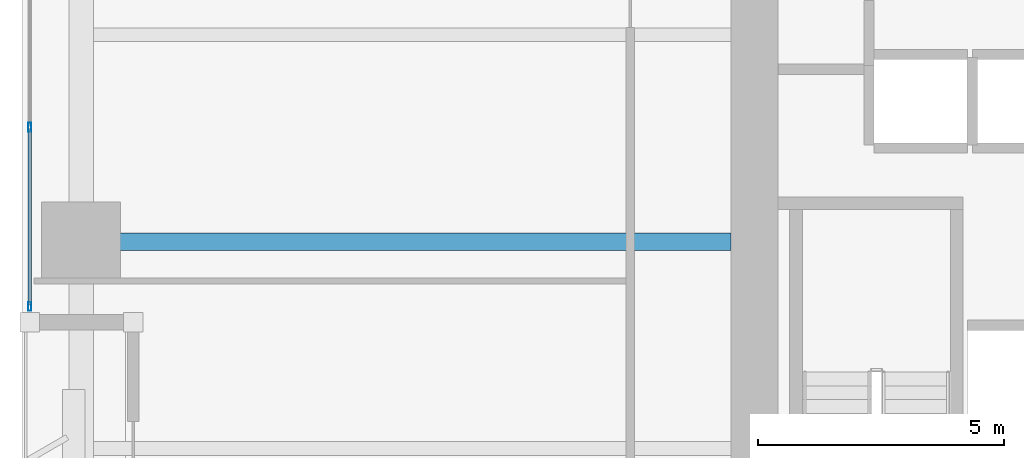
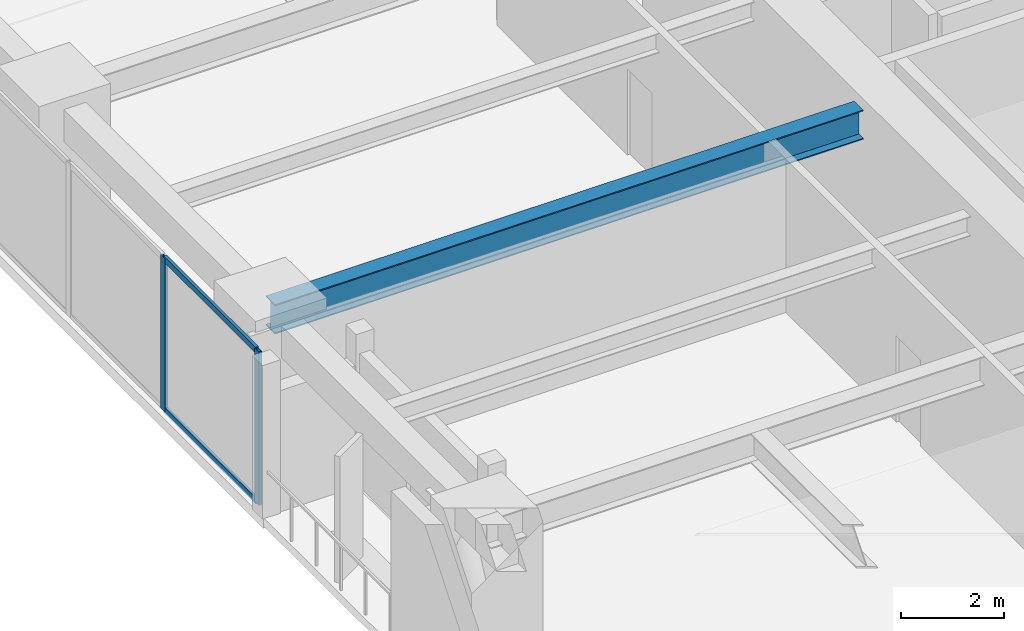
# One storey, part 2 of 29: 4 members, 1 beam, 1 element without a shape of its own.
"""IFC4 building model written with IfcOpenShell, lengths in metres."""

from ifc_helpers import new_model, si_unit, direction, frame, origin, origin_2d, place, context, subcontext, project, spatial, hollow_rectangle, i_section, extrude, material, layer, layer_set, material_profile, profile_set, type_object, element, aggregate, save


model = new_model("IFC4")

# Units and contexts
model_context = context("Model", 3, precision=1e-05, world=origin(), true_north=direction((0.0, 1.0)))
body_context = subcontext(model_context, "Body", "Model", "MODEL_VIEW")
ifc_project = project(units=[si_unit("LENGTHUNIT", "METRE"), si_unit("AREAUNIT", "SQUARE_METRE"), si_unit("VOLUMEUNIT", "CUBIC_METRE"), si_unit("PLANEANGLEUNIT", "RADIAN"), si_unit("MASSUNIT", "GRAM", prefix="KILO")], contexts=[model_context])

# Site, building, storey
site_placement = place(None, origin())
site = spatial("IfcSite", under=ifc_project, at=site_placement, CompositionType="ELEMENT")
building_placement = place(site_placement, origin())
building = spatial("IfcBuilding", under=site, at=building_placement, Name="Kiyonajd Concourse Tower", CompositionType="ELEMENT")
storey_placement = place(building_placement, frame((0.0, 0.0, 29.39990234375)))
storey = spatial("IfcBuildingStorey", under=building, at=storey_placement, Name="L08", CompositionType="ELEMENT", Elevation=29.39990234375)

# Beam
ifc_material_1 = material(Name="Steel ASTM A992 Grade 50", Category="steel")
ifc_material_profile_1 = material_profile(ifc_material_1, i_section(OverallWidth=0.35498046875, OverallDepth=0.695068359375, WebThickness=0.015380859375, FlangeThickness=0.02490234375, at=origin_2d()), Name="W690X217")
ifc_profile_set_1 = profile_set([ifc_material_profile_1], Name="Steel ASTM A992 Grade 50")
beam_type = type_object("IfcBeamType", Name="BM-TWR-690", PredefinedType="BEAM", material=ifc_profile_set_1)
beam_placement = place(storey_placement, frame((19.199951171875, 36.0, 3.29248046875), z_axis=(1.0, 0.0, 0.0), x_axis=(0.0, 1.0, 0.0)))
element("IfcBeam", 1, at=beam_placement, inside=storey, type_object=beam_type, Name="L08 West Lease Girder", PredefinedType="BEAM", context=body_context, shape_type="SweptSolid", body=[
    extrude(i_section(OverallWidth=0.35498046875, OverallDepth=0.695068359375, WebThickness=0.015380859375, FlangeThickness=0.02490234375, at=origin_2d()), origin(), (0.0, 0.0, 1.0), 13.199951171875),
])

# Curtain wall, members
ifc_material_2 = material(Name="Thermally Broken Anodised Aluminium", Category="aluminium")
ifc_layer = layer(ifc_material_2, 0.179931640625)
ifc_layer_set = layer_set([ifc_layer], Name="Thermally Broken Anodised Aluminium")
curtain_wall_type = type_object("IfcCurtainWallType", Name="CW-SYS-02", PredefinedType="NOTDEFINED", material=ifc_layer_set)
curtain_wall_placement = place(storey_placement, origin())
curtain_wall = element("IfcCurtainWall", 2, at=curtain_wall_placement, inside=storey, type_object=curtain_wall_type, Name="L08 Unitised Curtain Wall CW2", PredefinedType="NOTDEFINED")
ifc_material_profile_2 = material_profile(ifc_material_2, hollow_rectangle(XDim=0.06494140625, YDim=0.179931640625, WallThickness=0.00390625, at=origin_2d()), Name="MULL-65x180")
ifc_profile_set_2 = profile_set([ifc_material_profile_2], Name="Thermally Broken Anodised Aluminium")
member_type_1 = type_object("IfcMemberType", Name="MB-CW-MULL1", PredefinedType="MULLION", material=ifc_profile_set_2)
member_1_placement = place(storey_placement, frame((18.159912109375, 34.6826171875, 0.0), z_axis=(0.0, 0.0, 1.0), x_axis=(-1.0, 0.0, 0.0)))
member_1 = element("IfcMember", 3, at=member_1_placement, type_object=member_type_1, Name="CW2 mullion 1", PredefinedType="MULLION", context=body_context, shape_type="SweptSolid", body=[
    extrude(hollow_rectangle(XDim=0.06494140625, YDim=0.179931640625, WallThickness=0.00390625, at=origin_2d()), origin(), (0.0, 0.0, 1.0), 3.64013671875),
])
member_2_placement = place(storey_placement, frame((18.159912109375, 38.3232421875, 0.0), z_axis=(0.0, 0.0, 1.0), x_axis=(-1.0, 0.0, 0.0)))
member_2 = element("IfcMember", 4, at=member_2_placement, type_object=member_type_1, Name="CW2 mullion 2", PredefinedType="MULLION", context=body_context, shape_type="SweptSolid", body=[
    extrude(hollow_rectangle(XDim=0.06494140625, YDim=0.179931640625, WallThickness=0.00390625, at=origin_2d()), origin(), (0.0, 0.0, 1.0), 3.64013671875),
])
ifc_material_profile_3 = material_profile(ifc_material_2, hollow_rectangle(XDim=0.06494140625, YDim=0.139892578125, WallThickness=0.00390625, at=origin_2d()), Name="TRAN-65x140")
ifc_profile_set_3 = profile_set([ifc_material_profile_3], Name="Thermally Broken Anodised Aluminium")
member_type_2 = type_object("IfcMemberType", Name="MB-CW-TRAN1", PredefinedType="USERDEFINED", material=ifc_profile_set_3)
member_3_placement = place(storey_placement, frame((18.159912109375, 34.715087890625, 0.03271484375), z_axis=(0.0, 1.0, 0.0), x_axis=(-1.0, 0.0, 0.0)))
member_3 = element("IfcMember", 5, at=member_3_placement, type_object=member_type_2, Name="CW2 transom 1.1", ObjectType="TRANSOM", PredefinedType="USERDEFINED", context=body_context, shape_type="SweptSolid", body=[
    extrude(hollow_rectangle(XDim=0.06494140625, YDim=0.139892578125, WallThickness=0.00390625, at=origin_2d()), origin(), (0.0, 0.0, 1.0), 3.57568359375),
])
member_4_placement = place(storey_placement, frame((18.159912109375, 34.715087890625, 3.607666015625), z_axis=(0.0, 1.0, 0.0), x_axis=(-1.0, 0.0, 0.0)))
member_4 = element("IfcMember", 6, at=member_4_placement, type_object=member_type_2, Name="CW2 transom 1.2", ObjectType="TRANSOM", PredefinedType="USERDEFINED", context=body_context, shape_type="SweptSolid", body=[
    extrude(hollow_rectangle(XDim=0.06494140625, YDim=0.139892578125, WallThickness=0.00390625, at=origin_2d()), origin(), (0.0, 0.0, 1.0), 3.57568359375),
])
aggregate(curtain_wall, [member_1, member_2, member_3, member_4])

save(model, "model.ifc")
